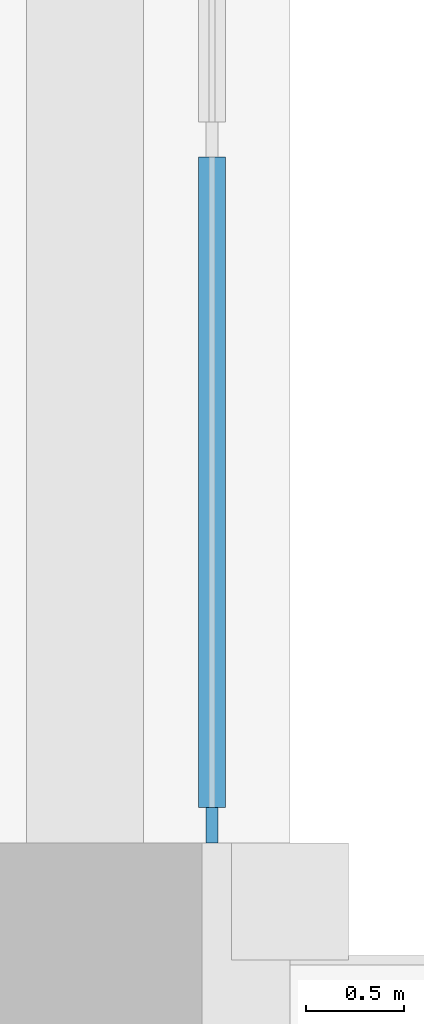
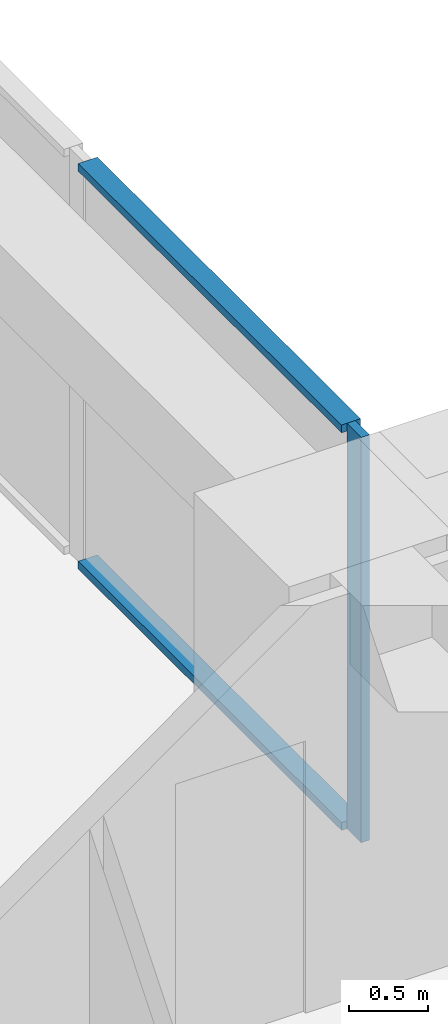
# One storey, part 4 of 18: 3 members, 1 element without a shape of its own.
"""IFC4 building model written with IfcOpenShell, lengths in metres."""

from ifc_helpers import new_model, si_unit, direction, frame, origin, origin_2d, place, context, subcontext, project, spatial, rectangle, extrude, material, material_profile, profile_set, type_object, element, aggregate, save


model = new_model("IFC4")

# Units and contexts
model_context = context("Model", 3, precision=1e-05, world=origin(), true_north=direction((0.0, 1.0)))
body_context = subcontext(model_context, "Body", "Model", "MODEL_VIEW")
ifc_project = project(units=[si_unit("LENGTHUNIT", "METRE"), si_unit("AREAUNIT", "SQUARE_METRE"), si_unit("VOLUMEUNIT", "CUBIC_METRE"), si_unit("PLANEANGLEUNIT", "RADIAN"), si_unit("MASSUNIT", "GRAM", prefix="KILO")], contexts=[model_context])

# Site, building, storey
site_placement = place(None, origin())
site = spatial("IfcSite", under=ifc_project, at=site_placement, CompositionType="ELEMENT")
building_placement = place(site_placement, origin())
building = spatial("IfcBuilding", under=site, at=building_placement, Name="Vermilion Ogive Tower", CompositionType="ELEMENT")
storey_placement = place(building_placement, frame((0.0, 0.0, 108.0)))
storey = spatial("IfcBuildingStorey", under=building, at=storey_placement, Name="L27", CompositionType="ELEMENT", Elevation=108.0)

# Curtain wall, members
ifc_material_1 = material(Name="Low-iron laminated glazing in aluminium frame", Category="aluminium")
curtain_wall_type = type_object("IfcCurtainWallType", Name="Curtain wall CW7", PredefinedType="NOTDEFINED", material=ifc_material_1)
curtain_wall_placement = place(storey_placement, origin())
curtain_wall = element("IfcCurtainWall", 1, at=curtain_wall_placement, inside=storey, type_object=curtain_wall_type, Name="Glazed skin E3", PredefinedType="NOTDEFINED")
ifc_material_2 = material(Name="Aluminium mullion", Category="aluminium")
ifc_material_profile_1 = material_profile(ifc_material_2, rectangle(XDim=0.06005859375, YDim=0.179931640625, at=origin_2d()), Name="AL 60x180")
ifc_profile_set_1 = profile_set([ifc_material_profile_1], Name="Aluminium mullion")
member_type_1 = type_object("IfcMemberType", Name="CW7 mullion 60x180", PredefinedType="MULLION", material=ifc_profile_set_1)
member_1_placement = place(storey_placement, frame((25.85009765625, 4.889892578125, 0.0), z_axis=(0.0, 0.0, 1.0), x_axis=(-1.0, 0.0, 0.0)))
member_1 = element("IfcMember", 2, at=member_1_placement, type_object=member_type_1, Name="CW7-E3 mullion 1", PredefinedType="MULLION", context=body_context, shape_type="SweptSolid", body=[
    extrude(rectangle(XDim=0.06005859375, YDim=0.179931640625, at=origin_2d()), origin(), (0.0, 0.0, 1.0), 3.1298828125),
])
ifc_material_3 = material(Name="Aluminium transom", Category="aluminium")
ifc_material_profile_2 = material_profile(ifc_material_3, rectangle(XDim=0.139892578125, YDim=0.06005859375, at=origin_2d()), Name="AL 60x140")
ifc_profile_set_2 = profile_set([ifc_material_profile_2], Name="Aluminium transom")
member_type_2 = type_object("IfcMemberType", Name="CW7 transom 60x140", PredefinedType="USERDEFINED", material=ifc_profile_set_2)
member_2_placement = place(storey_placement, frame((25.85009765625, 4.97998046875, 0.030029296875), z_axis=(0.0, 1.0, 0.0), x_axis=(-1.0, 0.0, 0.0)))
member_2 = element("IfcMember", 3, at=member_2_placement, type_object=member_type_2, Name="CW7-E3 transom 1.1", ObjectType="TRANSOM", PredefinedType="USERDEFINED", context=body_context, shape_type="SweptSolid", body=[
    extrude(rectangle(XDim=0.139892578125, YDim=0.06005859375, at=origin_2d()), origin(), (0.0, 0.0, 1.0), 3.330078125),
])
member_3_placement = place(storey_placement, frame((25.85009765625, 4.97998046875, 3.10009765625), z_axis=(0.0, 1.0, 0.0), x_axis=(-1.0, 0.0, 0.0)))
member_3 = element("IfcMember", 4, at=member_3_placement, type_object=member_type_2, Name="CW7-E3 transom 1.2", ObjectType="TRANSOM", PredefinedType="USERDEFINED", context=body_context, shape_type="SweptSolid", body=[
    extrude(rectangle(XDim=0.139892578125, YDim=0.06005859375, at=origin_2d()), origin(), (0.0, 0.0, 1.0), 3.330078125),
])
aggregate(curtain_wall, [member_1, member_2, member_3])

save(model, "model.ifc")
